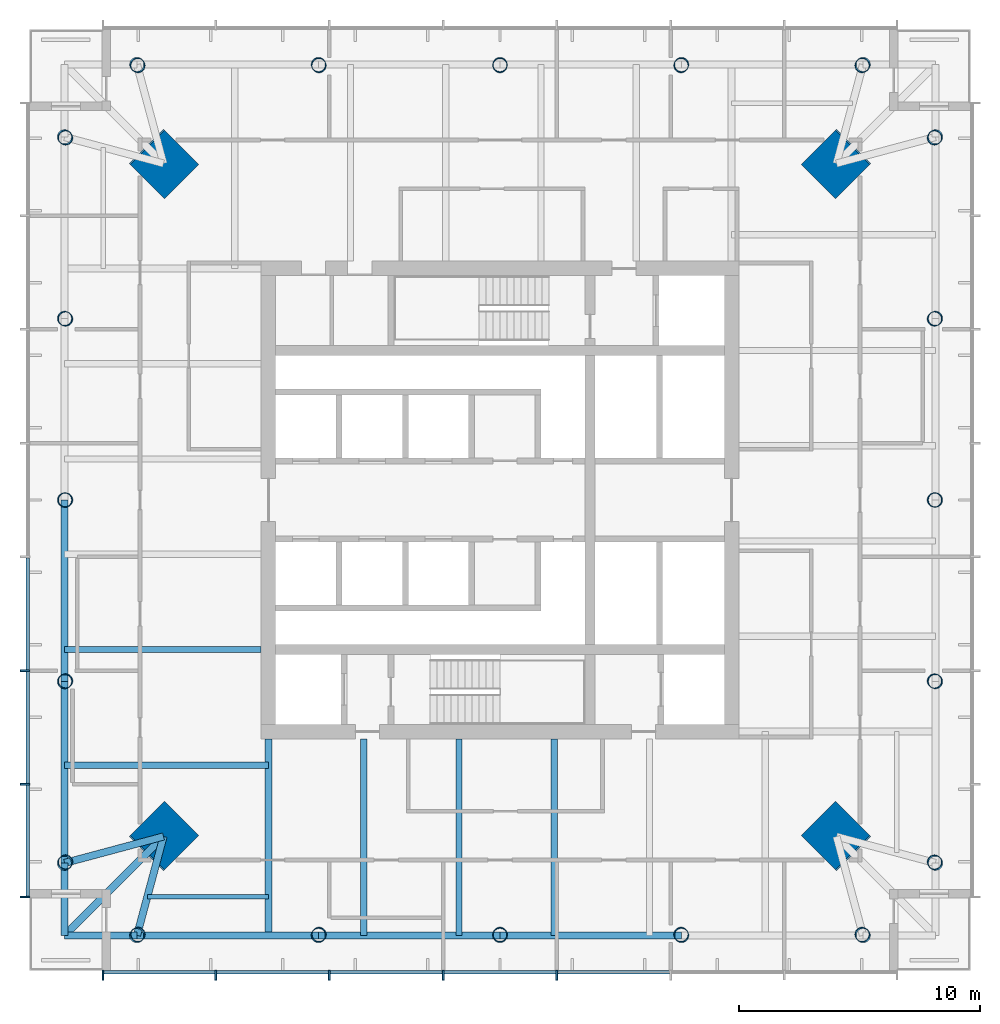
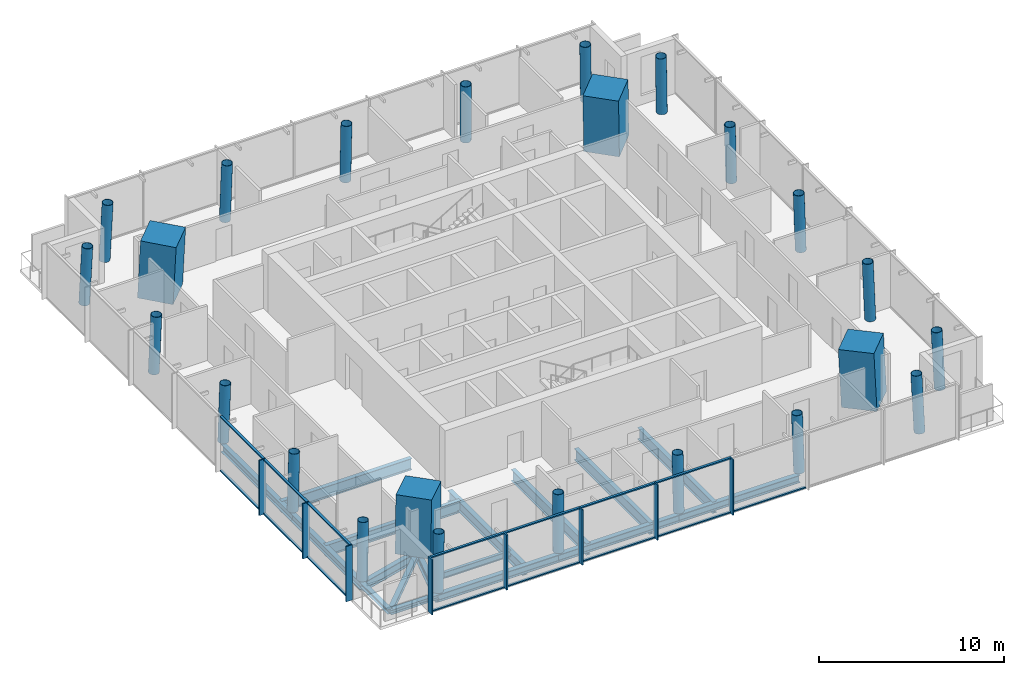
# One storey, part 1 of 9: 24 columns, 23 members, 17 beams, 2 elements without a shape of their own.
"""IFC4 building model written with IfcOpenShell, lengths in metres."""

from ifc_helpers import new_model, si_unit, direction, frame, origin, origin_2d, place, context, subcontext, project, spatial, rectangle, hollow_circle, i_section, extrude, material, material_profile, profile_set, type_object, element, aggregate, save


model = new_model("IFC4")

# Units and contexts
model_context = context("Model", 3, precision=1e-05, world=origin(), true_north=direction((0.0, 1.0)))
body_context = subcontext(model_context, "Body", "Model", "MODEL_VIEW")
ifc_project = project(units=[si_unit("LENGTHUNIT", "METRE"), si_unit("AREAUNIT", "SQUARE_METRE"), si_unit("VOLUMEUNIT", "CUBIC_METRE"), si_unit("PLANEANGLEUNIT", "RADIAN"), si_unit("MASSUNIT", "GRAM", prefix="KILO")], contexts=[model_context])

# Site, building, storey
site_placement = place(None, origin())
site = spatial("IfcSite", under=ifc_project, at=site_placement, CompositionType="ELEMENT")
building_placement = place(site_placement, origin())
building = spatial("IfcBuilding", under=site, at=building_placement, Name="Ostroluk Exchange", CompositionType="ELEMENT")
storey_placement = place(building_placement, frame((0.0, 0.0, 207.199951171875)))
storey = spatial("IfcBuildingStorey", under=building, at=storey_placement, Name="L53", CompositionType="ELEMENT", Elevation=207.199951171875)

# Columns
ifc_material_1 = material(Name="Concrete C50/60", Category="concrete")
ifc_material_profile_1 = material_profile(ifc_material_1, rectangle(XDim=2.0, YDim=2.0, at=origin_2d()), Name="RC 2000x2000")
ifc_profile_set_1 = profile_set([ifc_material_profile_1], Name="Concrete C50/60")
column_type_1 = type_object("IfcColumnType", Name="Mega column RC 2000x2000", PredefinedType="COLUMN", material=ifc_profile_set_1)
for number, where, z_axis, x_axis, name in (
    (1, (58.949951171875, 59.949951171875, 0.0), (-0.031898107953, -0.031898107953, 0.998981992539), (0.707106781187, -0.707106781187, 0.0), "T1 mega column NE"),
    (2, (31.050048828125, 59.949951171875, 0.0), (0.031898107953, -0.031898107953, 0.998981992539), (0.707106781187, 0.707106781187, 0.0), "T1 mega column NW"),
    (3, (31.050048828125, 32.050048828125, 0.0), (0.031898107953, 0.031898107953, 0.998981992539), (-0.707106781187, 0.707106781187, 0.0), "T1 mega column SW"),
    (4, (58.949951171875, 32.050048828125, 0.0), (-0.031898107953, 0.031898107953, 0.998981992539), (-0.707106781187, -0.707106781187, 0.0), "T1 mega column SE"),
):
    element("IfcColumn", number, at=place(storey_placement, frame(where, z_axis=z_axis, x_axis=x_axis)), inside=storey, type_object=column_type_1, Name=name, PredefinedType="COLUMN", context=body_context, shape_type="SweptSolid", body=[
        extrude(rectangle(XDim=2.0, YDim=2.0, at=origin_2d()), origin(), (0.0, 0.0, 1.0), 3.803955078125),
    ])
ifc_material_2 = material(Name="Steel S460", Category="steel")
ifc_material_profile_2 = material_profile(ifc_material_2, hollow_circle(Radius=0.304931640625, WallThickness=0.02490234375, at=origin_2d()), Name="CHS 610x25")
ifc_profile_set_2 = profile_set([ifc_material_profile_2], Name="Steel S460")
column_type_2 = type_object("IfcColumnType", Name="Perimeter column CHS 610x25", PredefinedType="COLUMN", material=ifc_profile_set_2)
for number, where, z_axis, x_axis, name in (
    (5, (63.050048828125, 30.949951171875, 0.0), (-0.031962158256, 0.031962158256, 0.998977898093), (-0.707106781187, -0.707106781187, 0.0), "T1 east face column E0"),
    (6, (63.050048828125, 61.050048828125, 0.0), (-0.031962158256, -0.031962158256, 0.998977898093), (0.707106781187, -0.707106781187, 0.0), "T1 east face column E1"),
):
    element("IfcColumn", number, at=place(storey_placement, frame(where, z_axis=z_axis, x_axis=x_axis)), inside=storey, type_object=column_type_2, Name=name, PredefinedType="COLUMN", context=body_context, shape_type="SweptSolid", body=[
        extrude(hollow_circle(Radius=0.304931640625, WallThickness=0.02490234375, at=origin_2d()), origin(), (0.0, 0.0, 1.0), 3.803955078125),
    ])
column_1_placement = place(storey_placement, frame((63.050048828125, 38.47509765625, 0.0), z_axis=(-0.031974442509, 0.015923015547, 0.999361842679), x_axis=(-0.445775033553, -0.895145027055, 0.0)))
element("IfcColumn", 7, at=column_1_placement, inside=storey, type_object=column_type_2, Name="T1 east face column I1", PredefinedType="COLUMN", context=body_context, shape_type="SweptSolid", body=[
    extrude(hollow_circle(Radius=0.304931640625, WallThickness=0.02490234375, at=origin_2d()), origin(), (0.0, 0.0, 1.0), 3.802490234375),
])
column_2_placement = place(storey_placement, frame((63.050048828125, 46.0, 0.0), z_axis=(-0.031978496719, 0.0, 0.999488557087), x_axis=(0.0, -1.0, 0.0)))
element("IfcColumn", 8, at=column_2_placement, inside=storey, type_object=column_type_2, Name="T1 east face column I2", PredefinedType="COLUMN", context=body_context, shape_type="SweptSolid", body=[
    extrude(hollow_circle(Radius=0.304931640625, WallThickness=0.02490234375, at=origin_2d()), origin(), (0.0, 0.0, 1.0), 3.802001953125),
])
column_3_placement = place(storey_placement, frame((63.050048828125, 53.52490234375, 0.0), z_axis=(-0.031974442509, -0.015923015547, 0.999361842679), x_axis=(0.445775033553, -0.895145027055, 0.0)))
element("IfcColumn", 9, at=column_3_placement, inside=storey, type_object=column_type_2, Name="T1 east face column I3", PredefinedType="COLUMN", context=body_context, shape_type="SweptSolid", body=[
    extrude(hollow_circle(Radius=0.304931640625, WallThickness=0.02490234375, at=origin_2d()), origin(), (0.0, 0.0, 1.0), 3.802490234375),
])
for number, where, z_axis, x_axis, name in (
    (10, (60.050048828125, 64.050048828125, 0.0), (-0.031962158256, -0.031962158256, 0.998977898093), (0.707106781187, -0.707106781187, 0.0), "T1 north face column E0"),
    (11, (29.949951171875, 64.050048828125, 0.0), (0.031962158256, -0.031962158256, 0.998977898093), (0.707106781187, 0.707106781187, 0.0), "T1 north face column E1"),
):
    element("IfcColumn", number, at=place(storey_placement, frame(where, z_axis=z_axis, x_axis=x_axis)), inside=storey, type_object=column_type_2, Name=name, PredefinedType="COLUMN", context=body_context, shape_type="SweptSolid", body=[
        extrude(hollow_circle(Radius=0.304931640625, WallThickness=0.02490234375, at=origin_2d()), origin(), (0.0, 0.0, 1.0), 3.803955078125),
    ])
column_4_placement = place(storey_placement, frame((52.52490234375, 64.050048828125, 0.0), z_axis=(-0.015923015547, -0.031974442509, 0.999361842679), x_axis=(0.895145027055, -0.445775033553, 0.0)))
element("IfcColumn", 12, at=column_4_placement, inside=storey, type_object=column_type_2, Name="T1 north face column I1", PredefinedType="COLUMN", context=body_context, shape_type="SweptSolid", body=[
    extrude(hollow_circle(Radius=0.304931640625, WallThickness=0.02490234375, at=origin_2d()), origin(), (0.0, 0.0, 1.0), 3.802490234375),
])
column_5_placement = place(storey_placement, frame((45.0, 64.050048828125, 0.0), z_axis=(0.0, -0.031978496719, 0.999488557087), x_axis=(1.0, 0.0, 0.0)))
element("IfcColumn", 13, at=column_5_placement, inside=storey, type_object=column_type_2, Name="T1 north face column I2", PredefinedType="COLUMN", context=body_context, shape_type="SweptSolid", body=[
    extrude(hollow_circle(Radius=0.304931640625, WallThickness=0.02490234375, at=origin_2d()), origin(), (0.0, 0.0, 1.0), 3.802001953125),
])
column_6_placement = place(storey_placement, frame((37.47509765625, 64.050048828125, 0.0), z_axis=(0.015923015547, -0.031974442509, 0.999361842679), x_axis=(0.895145027055, 0.445775033553, 0.0)))
element("IfcColumn", 14, at=column_6_placement, inside=storey, type_object=column_type_2, Name="T1 north face column I3", PredefinedType="COLUMN", context=body_context, shape_type="SweptSolid", body=[
    extrude(hollow_circle(Radius=0.304931640625, WallThickness=0.02490234375, at=origin_2d()), origin(), (0.0, 0.0, 1.0), 3.802490234375),
])
for number, where, z_axis, x_axis, name in (
    (15, (26.949951171875, 61.050048828125, 0.0), (0.031962158256, -0.031962158256, 0.998977898093), (0.707106781187, 0.707106781187, 0.0), "T1 west face column E0"),
    (16, (26.949951171875, 30.949951171875, 0.0), (0.031962158256, 0.031962158256, 0.998977898093), (-0.707106781187, 0.707106781187, 0.0), "T1 west face column E1"),
):
    element("IfcColumn", number, at=place(storey_placement, frame(where, z_axis=z_axis, x_axis=x_axis)), inside=storey, type_object=column_type_2, Name=name, PredefinedType="COLUMN", context=body_context, shape_type="SweptSolid", body=[
        extrude(hollow_circle(Radius=0.304931640625, WallThickness=0.02490234375, at=origin_2d()), origin(), (0.0, 0.0, 1.0), 3.803955078125),
    ])
column_7_placement = place(storey_placement, frame((26.949951171875, 53.52490234375, 0.0), z_axis=(0.031974442509, -0.015923015547, 0.999361842679), x_axis=(0.445775033553, 0.895145027055, 0.0)))
element("IfcColumn", 17, at=column_7_placement, inside=storey, type_object=column_type_2, Name="T1 west face column I1", PredefinedType="COLUMN", context=body_context, shape_type="SweptSolid", body=[
    extrude(hollow_circle(Radius=0.304931640625, WallThickness=0.02490234375, at=origin_2d()), origin(), (0.0, 0.0, 1.0), 3.802490234375),
])
column_8_placement = place(storey_placement, frame((26.949951171875, 46.0, 0.0), z_axis=(0.031978496719, 0.0, 0.999488557087), x_axis=(0.0, 1.0, 0.0)))
element("IfcColumn", 18, at=column_8_placement, inside=storey, type_object=column_type_2, Name="T1 west face column I2", PredefinedType="COLUMN", context=body_context, shape_type="SweptSolid", body=[
    extrude(hollow_circle(Radius=0.304931640625, WallThickness=0.02490234375, at=origin_2d()), origin(), (0.0, 0.0, 1.0), 3.802001953125),
])
column_9_placement = place(storey_placement, frame((26.949951171875, 38.47509765625, 0.0), z_axis=(0.031974442509, 0.015923015547, 0.999361842679), x_axis=(-0.445775033553, 0.895145027055, 0.0)))
element("IfcColumn", 19, at=column_9_placement, inside=storey, type_object=column_type_2, Name="T1 west face column I3", PredefinedType="COLUMN", context=body_context, shape_type="SweptSolid", body=[
    extrude(hollow_circle(Radius=0.304931640625, WallThickness=0.02490234375, at=origin_2d()), origin(), (0.0, 0.0, 1.0), 3.802490234375),
])
for number, where, z_axis, x_axis, name in (
    (20, (29.949951171875, 27.949951171875, 0.0), (0.031962158256, 0.031962158256, 0.998977898093), (-0.707106781187, 0.707106781187, 0.0), "T1 south face column E0"),
    (21, (60.050048828125, 27.949951171875, 0.0), (-0.031962158256, 0.031962158256, 0.998977898093), (-0.707106781187, -0.707106781187, 0.0), "T1 south face column E1"),
):
    element("IfcColumn", number, at=place(storey_placement, frame(where, z_axis=z_axis, x_axis=x_axis)), inside=storey, type_object=column_type_2, Name=name, PredefinedType="COLUMN", context=body_context, shape_type="SweptSolid", body=[
        extrude(hollow_circle(Radius=0.304931640625, WallThickness=0.02490234375, at=origin_2d()), origin(), (0.0, 0.0, 1.0), 3.803955078125),
    ])
column_10_placement = place(storey_placement, frame((37.47509765625, 27.949951171875, 0.0), z_axis=(0.015923015547, 0.031974442509, 0.999361842679), x_axis=(-0.895145027055, 0.445775033553, 0.0)))
element("IfcColumn", 22, at=column_10_placement, inside=storey, type_object=column_type_2, Name="T1 south face column I1", PredefinedType="COLUMN", context=body_context, shape_type="SweptSolid", body=[
    extrude(hollow_circle(Radius=0.304931640625, WallThickness=0.02490234375, at=origin_2d()), origin(), (0.0, 0.0, 1.0), 3.802490234375),
])
column_11_placement = place(storey_placement, frame((45.0, 27.949951171875, 0.0), z_axis=(0.0, 0.031978496719, 0.999488557087), x_axis=(-1.0, 0.0, 0.0)))
element("IfcColumn", 23, at=column_11_placement, inside=storey, type_object=column_type_2, Name="T1 south face column I2", PredefinedType="COLUMN", context=body_context, shape_type="SweptSolid", body=[
    extrude(hollow_circle(Radius=0.304931640625, WallThickness=0.02490234375, at=origin_2d()), origin(), (0.0, 0.0, 1.0), 3.802001953125),
])
column_12_placement = place(storey_placement, frame((52.52490234375, 27.949951171875, 0.0), z_axis=(-0.015923015547, 0.031974442509, 0.999361842679), x_axis=(-0.895145027055, -0.445775033553, 0.0)))
element("IfcColumn", 24, at=column_12_placement, inside=storey, type_object=column_type_2, Name="T1 south face column I3", PredefinedType="COLUMN", context=body_context, shape_type="SweptSolid", body=[
    extrude(hollow_circle(Radius=0.304931640625, WallThickness=0.02490234375, at=origin_2d()), origin(), (0.0, 0.0, 1.0), 3.802490234375),
])

# Beams
ifc_material_3 = material(Name="Steel S355", Category="steel")
ifc_material_profile_3 = material_profile(ifc_material_3, i_section(OverallWidth=0.300048828125, OverallDepth=0.300048828125, WebThickness=0.010986328125, FlangeThickness=0.01904296875, FilletRadius=0.027099609375, at=origin_2d()), Name="HEB 300")
ifc_profile_set_3 = profile_set([ifc_material_profile_3], Name="Steel S355")
beam_type_1 = type_object("IfcBeamType", Name="Balcony beam HEB 300", PredefinedType="BEAM", material=ifc_profile_set_3)
for number, where, z_axis, x_axis, name in (
    (25, (26.949951171875, 30.949951171875, -0.329833984375), (0.0, -1.0, 0.0), (1.0, 0.0, 0.0), "T1 west balcony beam a"),
    (26, (29.949951171875, 27.949951171875, -0.329833984375), (-1.0, 0.0, 0.0), (0.0, -1.0, 0.0), "T1 west balcony beam b"),
):
    element("IfcBeam", number, at=place(storey_placement, frame(where, z_axis=z_axis, x_axis=x_axis)), inside=storey, type_object=beam_type_1, Name=name, PredefinedType="BEAM", context=body_context, shape_type="SweptSolid", body=[
        extrude(i_section(OverallWidth=0.300048828125, OverallDepth=0.300048828125, WebThickness=0.010986328125, FlangeThickness=0.01904296875, FilletRadius=0.027099609375, at=origin_2d()), origin(), (0.0, 0.0, 1.0), 3.0),
    ])
beam_1_placement = place(storey_placement, frame((31.050048828125, 32.050048828125, -0.329833984375), z_axis=(-0.707106781187, -0.707106781187, 0.0), x_axis=(0.707106781187, -0.707106781187, 0.0)))
element("IfcBeam", 27, at=beam_1_placement, inside=storey, type_object=beam_type_1, Name="T1 west balcony beam c", PredefinedType="BEAM", context=body_context, shape_type="SweptSolid", body=[
    extrude(i_section(OverallWidth=0.300048828125, OverallDepth=0.300048828125, WebThickness=0.010986328125, FlangeThickness=0.01904296875, FilletRadius=0.027099609375, at=origin_2d()), origin(), (0.0, 0.0, 1.0), 5.79833984375),
])
ifc_material_4 = material(Name="Steel S355", Category="steel")
ifc_material_profile_4 = material_profile(ifc_material_4, i_section(OverallWidth=0.300048828125, OverallDepth=0.60009765625, WebThickness=0.015380859375, FlangeThickness=0.030029296875, FilletRadius=0.027099609375, at=origin_2d()), Name="HEB 600")
ifc_profile_set_4 = profile_set([ifc_material_profile_4], Name="Steel S355")
beam_type_2 = type_object("IfcBeamType", Name="Corner edge beam HEB 600", PredefinedType="SPANDREL", material=ifc_profile_set_4)
for number, where, z_axis, x_axis, name in (
    (28, (31.050048828125, 32.050048828125, -0.47998046875), (-0.965838624319, -0.259144268261, 0.0), (0.259144268261, -0.965838624319, 0.0), "T1 west corner edge beam a"),
    (29, (31.050048828125, 32.050048828125, -0.47998046875), (-0.259144268261, -0.965838624319, 0.0), (0.965838624319, -0.259144268261, 0.0), "T1 west corner edge beam b"),
):
    element("IfcBeam", number, at=place(storey_placement, frame(where, z_axis=z_axis, x_axis=x_axis)), inside=storey, type_object=beam_type_2, Name=name, PredefinedType="SPANDREL", context=body_context, shape_type="SweptSolid", body=[
        extrude(i_section(OverallWidth=0.300048828125, OverallDepth=0.60009765625, WebThickness=0.015380859375, FlangeThickness=0.030029296875, FilletRadius=0.027099609375, at=origin_2d()), origin(), (0.0, 0.0, 1.0), 4.2451171875),
    ])
ifc_material_5 = material(Name="Steel S355", Category="steel")
ifc_material_profile_5 = material_profile(ifc_material_5, i_section(OverallWidth=0.179931640625, OverallDepth=0.39990234375, WebThickness=0.008544921875, FlangeThickness=0.013427734375, FilletRadius=0.02099609375, at=origin_2d()), Name="IPE 400")
ifc_profile_set_5 = profile_set([ifc_material_profile_5], Name="Steel S355")
beam_type_3 = type_object("IfcBeamType", Name="Floor beam IPE 400", PredefinedType="BEAM", material=ifc_profile_set_5)
beam_2_placement = place(storey_placement, frame((35.39990234375, 29.550048828125, -0.3798828125), z_axis=(-1.0, 0.0, 0.0), x_axis=(0.0, -1.0, 0.0)))
element("IfcBeam", 30, at=beam_2_placement, inside=storey, type_object=beam_type_3, Name="T1 west floor beam 6", PredefinedType="BEAM", context=body_context, shape_type="SweptSolid", body=[
    extrude(i_section(OverallWidth=0.179931640625, OverallDepth=0.39990234375, WebThickness=0.008544921875, FlangeThickness=0.013427734375, FilletRadius=0.02099609375, at=origin_2d()), origin(), (0.0, 0.0, 1.0), 5.020751953125),
])
ifc_material_6 = material(Name="Steel S355", Category="steel")
ifc_material_profile_6 = material_profile(ifc_material_6, i_section(OverallWidth=0.264892578125, OverallDepth=0.7529296875, WebThickness=0.01318359375, FlangeThickness=0.01708984375, FilletRadius=0.01708984375, at=origin_2d()), Name="IPE 750x147")
ifc_profile_set_6 = profile_set([ifc_material_profile_6], Name="Steel S355")
beam_type_4 = type_object("IfcBeamType", Name="Floor beam IPE 750x147", PredefinedType="BEAM", material=ifc_profile_set_6)
beam_3_placement = place(storey_placement, frame((35.10009765625, 39.800048828125, -0.556396484375), z_axis=(-1.0, 0.0, 0.0), x_axis=(0.0, -1.0, 0.0)))
element("IfcBeam", 31, at=beam_3_placement, inside=storey, type_object=beam_type_4, Name="T1 west floor beam 4", PredefinedType="BEAM", context=body_context, shape_type="SweptSolid", body=[
    extrude(i_section(OverallWidth=0.264892578125, OverallDepth=0.7529296875, WebThickness=0.01318359375, FlangeThickness=0.01708984375, FilletRadius=0.01708984375, at=origin_2d()), origin(), (0.0, 0.0, 1.0), 8.150146484375),
])
beam_4_placement = place(storey_placement, frame((35.39990234375, 35.0, -0.556396484375), z_axis=(-1.0, 0.0, 0.0), x_axis=(0.0, -1.0, 0.0)))
element("IfcBeam", 32, at=beam_4_placement, inside=storey, type_object=beam_type_4, Name="T1 west floor beam 5", PredefinedType="BEAM", context=body_context, shape_type="SweptSolid", body=[
    extrude(i_section(OverallWidth=0.264892578125, OverallDepth=0.7529296875, WebThickness=0.01318359375, FlangeThickness=0.01708984375, FilletRadius=0.01708984375, at=origin_2d()), origin(), (0.0, 0.0, 1.0), 8.449951171875),
])
for number, where, z_axis, x_axis, name in (
    (33, (39.35009765625, 36.10009765625, -0.556396484375), (0.0, -1.0, 0.0), (1.0, 0.0, 0.0), "T1 south floor beam 1"),
    (34, (43.300048828125, 36.10009765625, -0.556396484375), (0.0, -1.0, 0.0), (1.0, 0.0, 0.0), "T1 south floor beam 2"),
    (35, (47.25, 36.10009765625, -0.556396484375), (0.0, -1.0, 0.0), (1.0, 0.0, 0.0), "T1 south floor beam 3"),
):
    element("IfcBeam", number, at=place(storey_placement, frame(where, z_axis=z_axis, x_axis=x_axis)), inside=storey, type_object=beam_type_4, Name=name, PredefinedType="BEAM", context=body_context, shape_type="SweptSolid", body=[
        extrude(i_section(OverallWidth=0.264892578125, OverallDepth=0.7529296875, WebThickness=0.01318359375, FlangeThickness=0.01708984375, FilletRadius=0.01708984375, at=origin_2d()), origin(), (0.0, 0.0, 1.0), 8.150146484375),
    ])
ifc_material_7 = material(Name="Steel S355", Category="steel")
ifc_material_profile_7 = material_profile(ifc_material_7, i_section(OverallWidth=0.300048828125, OverallDepth=0.699951171875, WebThickness=0.01708984375, FlangeThickness=0.031982421875, FilletRadius=0.027099609375, at=origin_2d()), Name="HEB 700")
ifc_profile_set_7 = profile_set([ifc_material_profile_7], Name="Steel S355")
beam_type_5 = type_object("IfcBeamType", Name="Girder HEB 700", PredefinedType="BEAM", material=ifc_profile_set_7)
beam_5_placement = place(storey_placement, frame((35.39990234375, 36.10009765625, -0.530029296875), z_axis=(0.0, -1.0, 0.0), x_axis=(1.0, 0.0, 0.0)))
element("IfcBeam", 36, at=beam_5_placement, inside=storey, type_object=beam_type_5, Name="T1 west girder", PredefinedType="BEAM", context=body_context, shape_type="SweptSolid", body=[
    extrude(i_section(OverallWidth=0.300048828125, OverallDepth=0.699951171875, WebThickness=0.01708984375, FlangeThickness=0.031982421875, FilletRadius=0.027099609375, at=origin_2d()), origin(), (0.0, 0.0, 1.0), 8.150146484375),
])
ifc_material_8 = material(Name="Steel S355", Category="steel")
ifc_material_profile_8 = material_profile(ifc_material_8, i_section(OverallWidth=0.300048828125, OverallDepth=0.5, WebThickness=0.014404296875, FlangeThickness=0.028076171875, FilletRadius=0.027099609375, at=origin_2d()), Name="HEB 500")
ifc_profile_set_8 = profile_set([ifc_material_profile_8], Name="Steel S355")
beam_type_6 = type_object("IfcBeamType", Name="Moment-connected edge beam HEB 500", PredefinedType="SPANDREL", material=ifc_profile_set_8)
beam_6_placement = place(storey_placement, frame((26.949951171875, 46.0, -0.429931640625), z_axis=(0.0, -1.0, 0.0), x_axis=(1.0, 0.0, 0.0)))
element("IfcBeam", 37, at=beam_6_placement, inside=storey, type_object=beam_type_6, Name="T1 west edge beam 3", PredefinedType="SPANDREL", context=body_context, shape_type="SweptSolid", body=[
    extrude(i_section(OverallWidth=0.300048828125, OverallDepth=0.5, WebThickness=0.014404296875, FlangeThickness=0.028076171875, FilletRadius=0.027099609375, at=origin_2d()), origin(), (0.0, 0.0, 1.0), 7.52490234375),
])
for number, where, z_axis, x_axis, name in (
    (38, (26.949951171875, 38.47509765625, -0.429931640625), (0.0, -1.0, 0.0), (1.0, 0.0, 0.0), "T1 west edge beam 4"),
    (39, (29.949951171875, 27.949951171875, -0.429931640625), (1.0, 0.0, 0.0), (0.0, 1.0, 0.0), "T1 south edge beam 1"),
):
    element("IfcBeam", number, at=place(storey_placement, frame(where, z_axis=z_axis, x_axis=x_axis)), inside=storey, type_object=beam_type_6, Name=name, PredefinedType="SPANDREL", context=body_context, shape_type="SweptSolid", body=[
        extrude(i_section(OverallWidth=0.300048828125, OverallDepth=0.5, WebThickness=0.014404296875, FlangeThickness=0.028076171875, FilletRadius=0.027099609375, at=origin_2d()), origin(), (0.0, 0.0, 1.0), 7.525146484375),
    ])
for number, where, z_axis, x_axis, name in (
    (40, (37.47509765625, 27.949951171875, -0.429931640625), (1.0, 0.0, 0.0), (0.0, 1.0, 0.0), "T1 south edge beam 2"),
    (41, (45.0, 27.949951171875, -0.429931640625), (1.0, 0.0, 0.0), (0.0, 1.0, 0.0), "T1 south edge beam 3"),
):
    element("IfcBeam", number, at=place(storey_placement, frame(where, z_axis=z_axis, x_axis=x_axis)), inside=storey, type_object=beam_type_6, Name=name, PredefinedType="SPANDREL", context=body_context, shape_type="SweptSolid", body=[
        extrude(i_section(OverallWidth=0.300048828125, OverallDepth=0.5, WebThickness=0.014404296875, FlangeThickness=0.028076171875, FilletRadius=0.027099609375, at=origin_2d()), origin(), (0.0, 0.0, 1.0), 7.52490234375),
    ])

# Curtain wall, members
ifc_material_9 = material(Name="Laminated clear glass", Category="glass")
curtain_wall_type = type_object("IfcCurtainWallType", Name="Office tower facade", PredefinedType="USERDEFINED", material=ifc_material_9)
curtain_wall_1_placement = place(storey_placement, origin())
curtain_wall_1 = element("IfcCurtainWall", 42, at=curtain_wall_1_placement, inside=storey, type_object=curtain_wall_type, Name="Office tower south facade L53", ObjectType="UNITISED CURTAIN WALL", PredefinedType="USERDEFINED")
ifc_material_10 = material(Name="Aluminium mullion", Category="aluminium")
ifc_material_profile_9 = material_profile(ifc_material_10, rectangle(XDim=0.14990234375, YDim=0.080078125, at=origin_2d()), Name="Sill transom 80 x 150")
ifc_profile_set_9 = profile_set([ifc_material_profile_9], Name="Aluminium mullion")
member_type_1 = type_object("IfcMemberType", Name="Sill transom 80 x 150", PredefinedType="USERDEFINED", material=ifc_profile_set_9)
member_1_placement = place(storey_placement, frame((28.580078125, 26.425048828125, 0.0400390625), z_axis=(1.0, 0.0, 0.0), x_axis=(0.0, 1.0, 0.0)))
member_1 = element("IfcMember", 43, at=member_1_placement, type_object=member_type_1, Name="CW-O1 transom 1.1", ObjectType="TRANSOM", PredefinedType="USERDEFINED", context=body_context, shape_type="SweptSolid", body=[
    extrude(rectangle(XDim=0.14990234375, YDim=0.080078125, at=origin_2d()), origin(), (0.0, 0.0, 1.0), 4.59423828125),
])
member_2_placement = place(storey_placement, frame((28.580078125, 26.425048828125, 3.610107421875), z_axis=(1.0, 0.0, 0.0), x_axis=(0.0, 1.0, 0.0)))
member_2 = element("IfcMember", 44, at=member_2_placement, type_object=member_type_1, Name="CW-O1 transom 1.2", ObjectType="TRANSOM", PredefinedType="USERDEFINED", context=body_context, shape_type="SweptSolid", body=[
    extrude(rectangle(XDim=0.14990234375, YDim=0.080078125, at=origin_2d()), origin(), (0.0, 0.0, 1.0), 4.59423828125),
])
member_3_placement = place(storey_placement, frame((33.25439453125, 26.425048828125, 0.0400390625), z_axis=(1.0, 0.0, 0.0), x_axis=(0.0, 1.0, 0.0)))
member_3 = element("IfcMember", 45, at=member_3_placement, type_object=member_type_1, Name="CW-O1 transom 2.1", ObjectType="TRANSOM", PredefinedType="USERDEFINED", context=body_context, shape_type="SweptSolid", body=[
    extrude(rectangle(XDim=0.14990234375, YDim=0.080078125, at=origin_2d()), origin(), (0.0, 0.0, 1.0), 4.63427734375),
])
member_4_placement = place(storey_placement, frame((33.25439453125, 26.425048828125, 3.610107421875), z_axis=(1.0, 0.0, 0.0), x_axis=(0.0, 1.0, 0.0)))
member_4 = element("IfcMember", 46, at=member_4_placement, type_object=member_type_1, Name="CW-O1 transom 2.2", ObjectType="TRANSOM", PredefinedType="USERDEFINED", context=body_context, shape_type="SweptSolid", body=[
    extrude(rectangle(XDim=0.14990234375, YDim=0.080078125, at=origin_2d()), origin(), (0.0, 0.0, 1.0), 4.63427734375),
])
member_5_placement = place(storey_placement, frame((37.968505859375, 26.425048828125, 0.0400390625), z_axis=(1.0, 0.0, 0.0), x_axis=(0.0, 1.0, 0.0)))
member_5 = element("IfcMember", 47, at=member_5_placement, type_object=member_type_1, Name="CW-O1 transom 3.1", ObjectType="TRANSOM", PredefinedType="USERDEFINED", context=body_context, shape_type="SweptSolid", body=[
    extrude(rectangle(XDim=0.14990234375, YDim=0.080078125, at=origin_2d()), origin(), (0.0, 0.0, 1.0), 4.63427734375),
])
member_6_placement = place(storey_placement, frame((37.968505859375, 26.425048828125, 3.610107421875), z_axis=(1.0, 0.0, 0.0), x_axis=(0.0, 1.0, 0.0)))
member_6 = element("IfcMember", 48, at=member_6_placement, type_object=member_type_1, Name="CW-O1 transom 3.2", ObjectType="TRANSOM", PredefinedType="USERDEFINED", context=body_context, shape_type="SweptSolid", body=[
    extrude(rectangle(XDim=0.14990234375, YDim=0.080078125, at=origin_2d()), origin(), (0.0, 0.0, 1.0), 4.63427734375),
])
member_7_placement = place(storey_placement, frame((42.682861328125, 26.425048828125, 0.0400390625), z_axis=(1.0, 0.0, 0.0), x_axis=(0.0, 1.0, 0.0)))
member_7 = element("IfcMember", 49, at=member_7_placement, type_object=member_type_1, Name="CW-O1 transom 4.1", ObjectType="TRANSOM", PredefinedType="USERDEFINED", context=body_context, shape_type="SweptSolid", body=[
    extrude(rectangle(XDim=0.14990234375, YDim=0.080078125, at=origin_2d()), origin(), (0.0, 0.0, 1.0), 4.63427734375),
])
member_8_placement = place(storey_placement, frame((42.682861328125, 26.425048828125, 3.610107421875), z_axis=(1.0, 0.0, 0.0), x_axis=(0.0, 1.0, 0.0)))
member_8 = element("IfcMember", 50, at=member_8_placement, type_object=member_type_1, Name="CW-O1 transom 4.2", ObjectType="TRANSOM", PredefinedType="USERDEFINED", context=body_context, shape_type="SweptSolid", body=[
    extrude(rectangle(XDim=0.14990234375, YDim=0.080078125, at=origin_2d()), origin(), (0.0, 0.0, 1.0), 4.63427734375),
])
member_9_placement = place(storey_placement, frame((47.397216796875, 26.425048828125, 0.0400390625), z_axis=(1.0, 0.0, 0.0), x_axis=(0.0, 1.0, 0.0)))
member_9 = element("IfcMember", 51, at=member_9_placement, type_object=member_type_1, Name="CW-O1 transom 5.1", ObjectType="TRANSOM", PredefinedType="USERDEFINED", context=body_context, shape_type="SweptSolid", body=[
    extrude(rectangle(XDim=0.14990234375, YDim=0.080078125, at=origin_2d()), origin(), (0.0, 0.0, 1.0), 4.63427734375),
])

curtain_wall_2_placement = place(storey_placement, origin())
curtain_wall_2 = element("IfcCurtainWall", 52, at=curtain_wall_2_placement, inside=storey, type_object=curtain_wall_type, Name="Office tower west facade L53", ObjectType="UNITISED CURTAIN WALL", PredefinedType="USERDEFINED")
member_10_placement = place(storey_placement, frame((25.425048828125, 43.602783203125, 0.0400390625), z_axis=(0.0, -1.0, 0.0), x_axis=(1.0, 0.0, 0.0)))
member_10 = element("IfcMember", 53, at=member_10_placement, type_object=member_type_1, Name="CW-O1 transom 5.1", ObjectType="TRANSOM", PredefinedType="USERDEFINED", context=body_context, shape_type="SweptSolid", body=[
    extrude(rectangle(XDim=0.14990234375, YDim=0.080078125, at=origin_2d()), origin(), (0.0, 0.0, 1.0), 4.63427734375),
])
member_11_placement = place(storey_placement, frame((25.425048828125, 43.602783203125, 3.610107421875), z_axis=(0.0, -1.0, 0.0), x_axis=(1.0, 0.0, 0.0)))
member_11 = element("IfcMember", 54, at=member_11_placement, type_object=member_type_1, Name="CW-O1 transom 5.2", ObjectType="TRANSOM", PredefinedType="USERDEFINED", context=body_context, shape_type="SweptSolid", body=[
    extrude(rectangle(XDim=0.14990234375, YDim=0.080078125, at=origin_2d()), origin(), (0.0, 0.0, 1.0), 4.63427734375),
])
member_12_placement = place(storey_placement, frame((25.425048828125, 38.888671875, 0.0400390625), z_axis=(0.0, -1.0, 0.0), x_axis=(1.0, 0.0, 0.0)))
member_12 = element("IfcMember", 55, at=member_12_placement, type_object=member_type_1, Name="CW-O1 transom 6.1", ObjectType="TRANSOM", PredefinedType="USERDEFINED", context=body_context, shape_type="SweptSolid", body=[
    extrude(rectangle(XDim=0.14990234375, YDim=0.080078125, at=origin_2d()), origin(), (0.0, 0.0, 1.0), 4.63427734375),
])
member_13_placement = place(storey_placement, frame((25.425048828125, 38.888671875, 3.610107421875), z_axis=(0.0, -1.0, 0.0), x_axis=(1.0, 0.0, 0.0)))
member_13 = element("IfcMember", 56, at=member_13_placement, type_object=member_type_1, Name="CW-O1 transom 6.2", ObjectType="TRANSOM", PredefinedType="USERDEFINED", context=body_context, shape_type="SweptSolid", body=[
    extrude(rectangle(XDim=0.14990234375, YDim=0.080078125, at=origin_2d()), origin(), (0.0, 0.0, 1.0), 4.63427734375),
])
member_14_placement = place(storey_placement, frame((25.425048828125, 34.17431640625, 0.0400390625), z_axis=(0.0, -1.0, 0.0), x_axis=(1.0, 0.0, 0.0)))
member_14 = element("IfcMember", 57, at=member_14_placement, type_object=member_type_1, Name="CW-O1 transom 7.1", ObjectType="TRANSOM", PredefinedType="USERDEFINED", context=body_context, shape_type="SweptSolid", body=[
    extrude(rectangle(XDim=0.14990234375, YDim=0.080078125, at=origin_2d()), origin(), (0.0, 0.0, 1.0), 4.59423828125),
])
member_15_placement = place(storey_placement, frame((25.425048828125, 34.17431640625, 3.610107421875), z_axis=(0.0, -1.0, 0.0), x_axis=(1.0, 0.0, 0.0)))
member_15 = element("IfcMember", 58, at=member_15_placement, type_object=member_type_1, Name="CW-O1 transom 7.2", ObjectType="TRANSOM", PredefinedType="USERDEFINED", context=body_context, shape_type="SweptSolid", body=[
    extrude(rectangle(XDim=0.14990234375, YDim=0.080078125, at=origin_2d()), origin(), (0.0, 0.0, 1.0), 4.59423828125),
])

# Member
ifc_material_11 = material(Name="Aluminium mullion with limestone facing", Category="masonry")
ifc_material_profile_10 = material_profile(ifc_material_11, rectangle(XDim=0.39990234375, YDim=0.080078125, at=origin_2d()), Name="Tracery mullion 80 x 400")
ifc_profile_set_10 = profile_set([ifc_material_profile_10], Name="Aluminium mullion with limestone facing")
member_type_2 = type_object("IfcMemberType", Name="Tracery mullion 80 x 400", PredefinedType="MULLION", material=ifc_profile_set_10)
member_16_placement = place(storey_placement, frame((28.5400390625, 26.300048828125, 0.0), z_axis=(0.0, 0.0, 1.0), x_axis=(0.0, 1.0, 0.0)))
member_16 = element("IfcMember", 59, at=member_16_placement, type_object=member_type_2, Name="CW-O1 mullion 1", PredefinedType="MULLION", context=body_context, shape_type="SweptSolid", body=[
    extrude(rectangle(XDim=0.39990234375, YDim=0.080078125, at=origin_2d()), origin(), (0.0, 0.0, 1.0), 3.650146484375),
])

member_17_placement = place(storey_placement, frame((33.21435546875, 26.300048828125, 0.0), z_axis=(0.0, 0.0, 1.0), x_axis=(0.0, 1.0, 0.0)))
member_17 = element("IfcMember", 60, at=member_17_placement, type_object=member_type_2, Name="CW-O1 mullion 2", PredefinedType="MULLION", context=body_context, shape_type="SweptSolid", body=[
    extrude(rectangle(XDim=0.39990234375, YDim=0.080078125, at=origin_2d()), origin(), (0.0, 0.0, 1.0), 3.650146484375),
])

member_18_placement = place(storey_placement, frame((37.928466796875, 26.300048828125, 0.0), z_axis=(0.0, 0.0, 1.0), x_axis=(0.0, 1.0, 0.0)))
member_18 = element("IfcMember", 61, at=member_18_placement, type_object=member_type_2, Name="CW-O1 mullion 3", PredefinedType="MULLION", context=body_context, shape_type="SweptSolid", body=[
    extrude(rectangle(XDim=0.39990234375, YDim=0.080078125, at=origin_2d()), origin(), (0.0, 0.0, 1.0), 3.650146484375),
])

member_19_placement = place(storey_placement, frame((42.642822265625, 26.300048828125, 0.0), z_axis=(0.0, 0.0, 1.0), x_axis=(0.0, 1.0, 0.0)))
member_19 = element("IfcMember", 62, at=member_19_placement, type_object=member_type_2, Name="CW-O1 mullion 4", PredefinedType="MULLION", context=body_context, shape_type="SweptSolid", body=[
    extrude(rectangle(XDim=0.39990234375, YDim=0.080078125, at=origin_2d()), origin(), (0.0, 0.0, 1.0), 3.650146484375),
])

member_20_placement = place(storey_placement, frame((47.357177734375, 26.300048828125, 0.0), z_axis=(0.0, 0.0, 1.0), x_axis=(0.0, 1.0, 0.0)))
member_20 = element("IfcMember", 63, at=member_20_placement, type_object=member_type_2, Name="CW-O1 mullion 5", PredefinedType="MULLION", context=body_context, shape_type="SweptSolid", body=[
    extrude(rectangle(XDim=0.39990234375, YDim=0.080078125, at=origin_2d()), origin(), (0.0, 0.0, 1.0), 3.650146484375),
])

aggregate(curtain_wall_1, [member_16, member_17, member_18, member_19, member_20, member_1, member_2, member_3, member_4, member_5, member_6, member_7, member_8, member_9])

member_21_placement = place(storey_placement, frame((25.300048828125, 38.928466796875, 0.0), z_axis=(0.0, 0.0, 1.0), x_axis=(1.0, 0.0, 0.0)))
member_21 = element("IfcMember", 64, at=member_21_placement, type_object=member_type_2, Name="CW-O1 mullion 6", PredefinedType="MULLION", context=body_context, shape_type="SweptSolid", body=[
    extrude(rectangle(XDim=0.39990234375, YDim=0.080078125, at=origin_2d()), origin(), (0.0, 0.0, 1.0), 3.650146484375),
])

member_22_placement = place(storey_placement, frame((25.300048828125, 34.21435546875, 0.0), z_axis=(0.0, 0.0, 1.0), x_axis=(1.0, 0.0, 0.0)))
member_22 = element("IfcMember", 65, at=member_22_placement, type_object=member_type_2, Name="CW-O1 mullion 7", PredefinedType="MULLION", context=body_context, shape_type="SweptSolid", body=[
    extrude(rectangle(XDim=0.39990234375, YDim=0.080078125, at=origin_2d()), origin(), (0.0, 0.0, 1.0), 3.650146484375),
])

member_23_placement = place(storey_placement, frame((25.300048828125, 29.5400390625, 0.0), z_axis=(0.0, 0.0, 1.0), x_axis=(1.0, 0.0, 0.0)))
member_23 = element("IfcMember", 66, at=member_23_placement, type_object=member_type_2, Name="CW-O1 mullion 8", PredefinedType="MULLION", context=body_context, shape_type="SweptSolid", body=[
    extrude(rectangle(XDim=0.39990234375, YDim=0.080078125, at=origin_2d()), origin(), (0.0, 0.0, 1.0), 3.650146484375),
])

aggregate(curtain_wall_2, [member_21, member_22, member_23, member_10, member_11, member_12, member_13, member_14, member_15])

save(model, "model.ifc")
